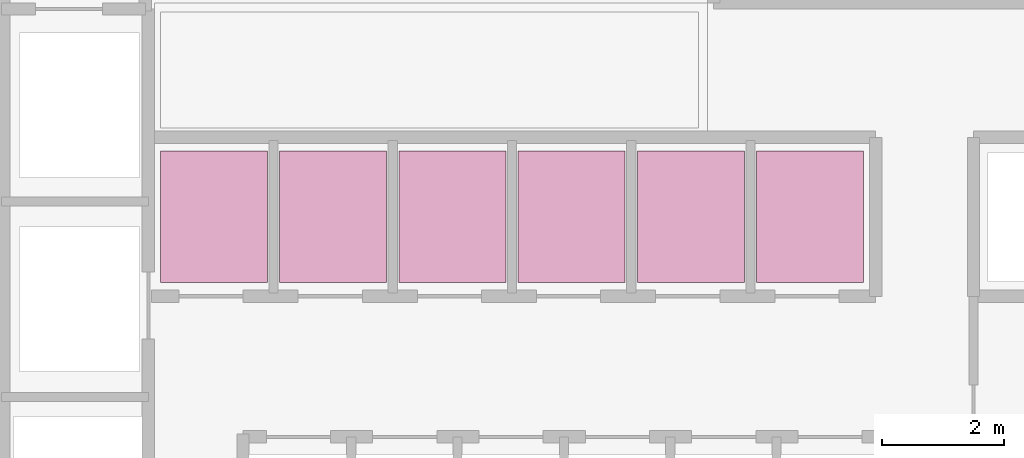
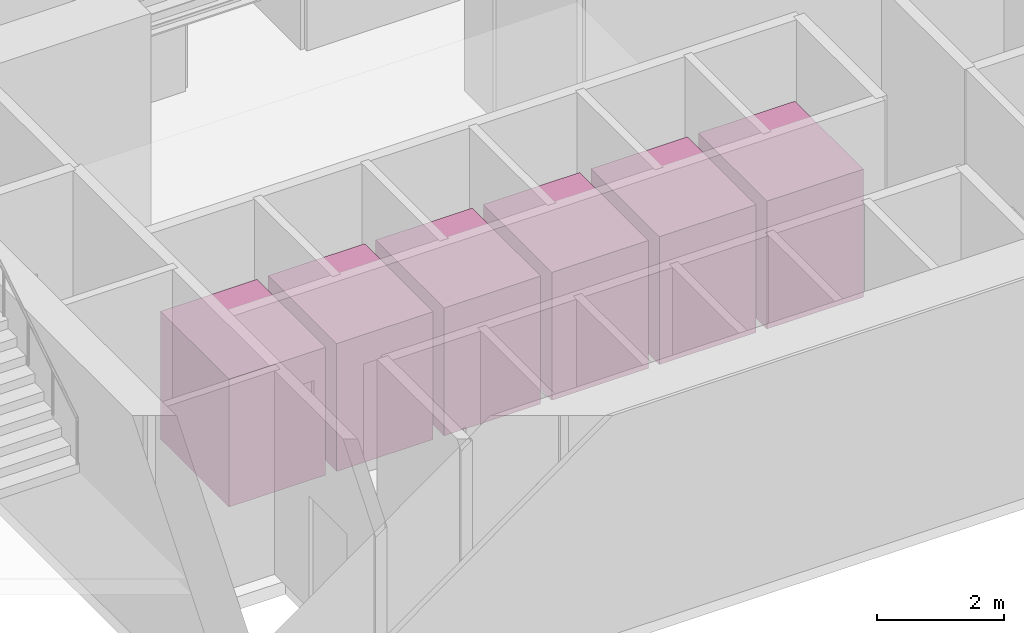
# One storey, part 35 of 35: 6 transport elements.
"""IFC4 building model written with IfcOpenShell, lengths in metres."""

from ifc_helpers import new_model, si_unit, derived_unit, direction, frame, origin, origin_2d, place, context, subcontext, project, spatial, rectangle, extrude, source, transform, mapped, material, type_object, element, save


model = new_model("IFC4")

# Units and contexts
model_context = context("Model", 3, precision=1e-05, world=origin(), true_north=direction((0.0, 1.0)))
body_context = subcontext(model_context, "Body", "Model", "MODEL_VIEW")
ifc_project = project(units=[si_unit("LENGTHUNIT", "METRE"), si_unit("AREAUNIT", "SQUARE_METRE"), si_unit("VOLUMEUNIT", "CUBIC_METRE"), si_unit("PLANEANGLEUNIT", "RADIAN"), si_unit("MASSUNIT", "GRAM", prefix="KILO"), derived_unit("THERMALTRANSMITTANCEUNIT", [(si_unit("POWERUNIT", "WATT"), 1), (si_unit("LENGTHUNIT", "METRE"), -2), (si_unit("THERMODYNAMICTEMPERATUREUNIT", "KELVIN"), -1)])], contexts=[model_context])

# Site, building, storey
site_placement = place(None, origin())
site = spatial("IfcSite", under=ifc_project, at=site_placement, CompositionType="ELEMENT")
building_placement = place(site_placement, origin())
building = spatial("IfcBuilding", under=site, at=building_placement, Name="Skarnbrae Concourse Arena and Tower", CompositionType="ELEMENT")
storey_placement = place(building_placement, frame((0.0, 0.0, 79.949951171875)))
storey = spatial("IfcBuildingStorey", under=building, at=storey_placement, Name="L19", CompositionType="ELEMENT", Elevation=79.949951171875)

# Transport elements
ifc_material = material(Name="Brushed stainless steel elevator cab", Category="steel")
transport_element_type = type_object("IfcTransportElementType", Name="LIFT-PASS-1750X2150", PredefinedType="ELEVATOR", material=ifc_material)
shared_shape = source(origin(), body_context, "Body", "SweptSolid", [
    extrude(rectangle(XDim=1.75, YDim=2.14990234375, at=origin_2d()), origin(), (0.0, 0.0, 1.0), 2.449951171875),
])
for number, where, z_axis, x_axis, name in (
    (1, (12.574951171875, 7.050048828125, 0.0), (0.0, 0.0, 1.0), (1.0, 0.0, 0.0), "Passenger Elevator PL-2A car"),
    (2, (14.52490234375, 7.050048828125, 0.0), (0.0, 0.0, 1.0), (1.0, 0.0, 0.0), "Passenger Elevator PL-2B car"),
    (3, (16.47509765625, 7.050048828125, 0.0), (0.0, 0.0, 1.0), (1.0, 0.0, 0.0), "Passenger Elevator PL-2C car"),
    (4, (18.425048828125, 7.050048828125, 0.0), (0.0, 0.0, 1.0), (1.0, 0.0, 0.0), "Passenger Elevator PL-2D car"),
    (5, (20.375, 7.050048828125, 0.0), (0.0, 0.0, 1.0), (1.0, 0.0, 0.0), "Passenger Elevator PL-2E car"),
    (6, (22.324951171875, 7.050048828125, 0.0), (0.0, 0.0, 1.0), (1.0, 0.0, 0.0), "Passenger Elevator PL-2F car"),
):
    element("IfcTransportElement", number, at=place(storey_placement, frame(where, z_axis=z_axis, x_axis=x_axis)), inside=storey, type_object=transport_element_type, Name=name, PredefinedType="ELEVATOR", context=body_context, shape_type="MappedRepresentation", body=[
        mapped(shared_shape, transform((0.0, 0.0, 0.0))),
    ])

save(model, "model.ifc")
